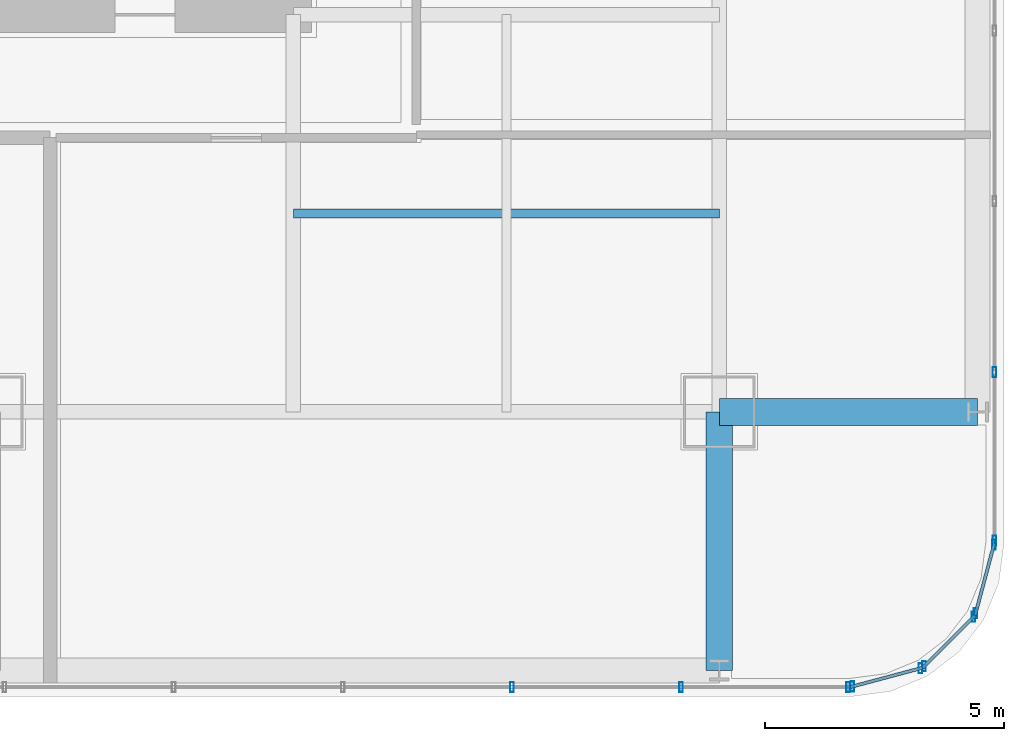
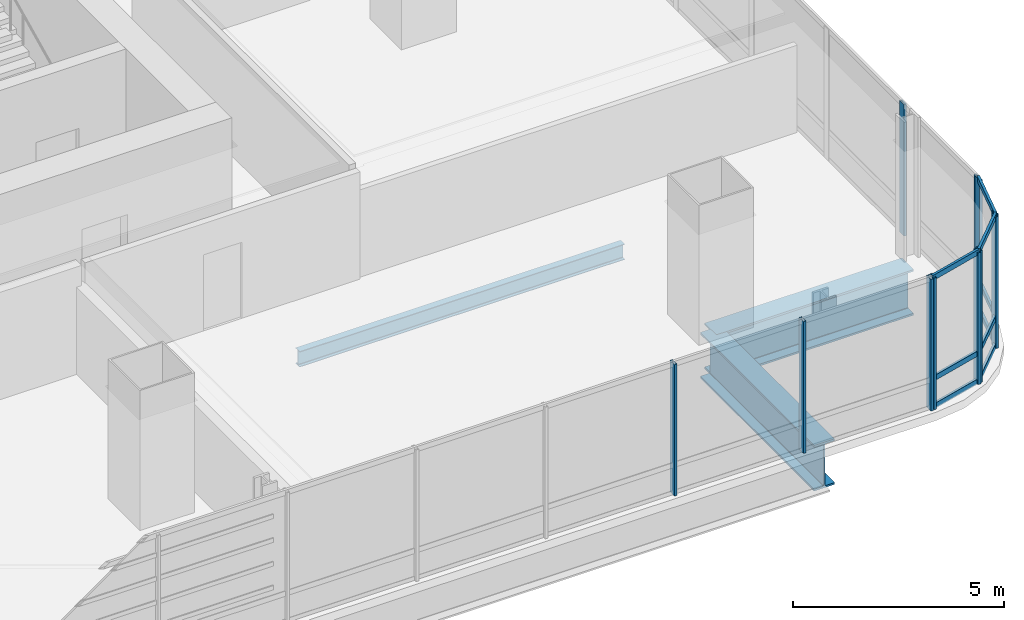
# One storey, part 12 of 34: 20 members, 3 beams, 5 elements without a shape of their own.
"""IFC4 building model written with IfcOpenShell, lengths in metres."""

from ifc_helpers import new_model, si_unit, direction, frame, origin, origin_2d, place, context, subcontext, project, spatial, hollow_rectangle, i_section, extrude, material, material_profile, profile_set, type_object, element, aggregate, save


model = new_model("IFC4")

# Units and contexts
model_context = context("Model", 3, precision=1e-05, world=origin(), true_north=direction((0.0, 1.0)))
body_context = subcontext(model_context, "Body", "Model", "MODEL_VIEW")
ifc_project = project(units=[si_unit("LENGTHUNIT", "METRE"), si_unit("AREAUNIT", "SQUARE_METRE"), si_unit("VOLUMEUNIT", "CUBIC_METRE"), si_unit("PLANEANGLEUNIT", "RADIAN"), si_unit("MASSUNIT", "GRAM", prefix="KILO")], contexts=[model_context])

# Site, building, storey
site_placement = place(None, origin())
site = spatial("IfcSite", under=ifc_project, at=site_placement, CompositionType="ELEMENT")
building_placement = place(site_placement, origin())
building = spatial("IfcBuilding", under=site, at=building_placement, Name="Punatoya Terracotta Tower", CompositionType="ELEMENT")
storey_placement = place(building_placement, frame((0.0, 0.0, 80.85009765625)))
storey = spatial("IfcBuildingStorey", under=building, at=storey_placement, Name="L18", CompositionType="ELEMENT", Elevation=80.85009765625)

# Beams
ifc_material_1 = material(Name="Steel S355", Category="steel")
ifc_material_profile_1 = material_profile(ifc_material_1, i_section(OverallWidth=0.18994140625, OverallDepth=0.449951171875, WebThickness=0.009521484375, FlangeThickness=0.0146484375, FilletRadius=0.01806640625, at=origin_2d()))
ifc_profile_set_1 = profile_set([ifc_material_profile_1], Name="Steel S355")
beam_type_1 = type_object("IfcBeamType", Name="BM-SEC-450", PredefinedType="JOIST", material=ifc_profile_set_1)
beam_placement = place(storey_placement, frame((10.199951171875, -13.35009765625, -0.465087890625), z_axis=(1.0, 0.0, 0.0), x_axis=(0.0, 1.0, 0.0)))
element("IfcBeam", 1, at=beam_placement, inside=storey, type_object=beam_type_1, Name="BM-L18-SJS-2", PredefinedType="JOIST", context=body_context, shape_type="SweptSolid", body=[
    extrude(i_section(OverallWidth=0.18994140625, OverallDepth=0.449951171875, WebThickness=0.009521484375, FlangeThickness=0.0146484375, FilletRadius=0.01806640625, at=origin_2d()), origin(), (0.0, 0.0, 1.0), 8.900146484375),
])
ifc_material_2 = material(Name="Steel S460", Category="steel")
ifc_material_profile_2 = material_profile(ifc_material_2, i_section(OverallWidth=0.56005859375, OverallDepth=1.320068359375, WebThickness=0.035888671875, FlangeThickness=0.054931640625, FilletRadius=0.01806640625, at=origin_2d()))
ifc_profile_set_2 = profile_set([ifc_material_profile_2], Name="Steel S460")
beam_type_2 = type_object("IfcBeamType", Name="BM-TG-BLK", PredefinedType="BEAM", material=ifc_profile_set_2)
for number, where, z_axis, x_axis, name in (
    (2, (19.10009765625, -17.5, -0.900146484375), (1.0, 0.0, 0.0), (0.0, 1.0, 0.0), "BM-L18-CANT-E1"),
    (3, (19.10009765625, -22.89990234375, -0.900146484375), (0.0, 1.0, 0.0), (-1.0, 0.0, 0.0), "BM-L18-CANT-S4"),
):
    element("IfcBeam", number, at=place(storey_placement, frame(where, z_axis=z_axis, x_axis=x_axis)), inside=storey, type_object=beam_type_2, Name=name, PredefinedType="BEAM", context=body_context, shape_type="SweptSolid", body=[
        extrude(i_section(OverallWidth=0.56005859375, OverallDepth=1.320068359375, WebThickness=0.035888671875, FlangeThickness=0.054931640625, FilletRadius=0.01806640625, at=origin_2d()), origin(), (0.0, 0.0, 1.0), 5.39990234375),
    ])

# Curtain wall, members
ifc_material_3 = material(Name="Aluminium 6063-T6 + Double Low-E Glass", Category="aluminium")
curtain_wall_type = type_object("IfcCurtainWallType", Name="CW-M1", PredefinedType="NOTDEFINED", material=ifc_material_3)
curtain_wall_1_placement = place(storey_placement, origin())
curtain_wall_1 = element("IfcCurtainWall", 4, at=curtain_wall_1_placement, inside=storey, type_object=curtain_wall_type, Name="L18 Curtain Wall CW-L18-S01-1", PredefinedType="NOTDEFINED")
ifc_material_4 = material(Name="Aluminium 6063-T6", Category="aluminium")
ifc_material_profile_3 = material_profile(ifc_material_4, hollow_rectangle(XDim=0.074951171875, YDim=0.2099609375, WallThickness=0.00439453125, at=origin_2d()))
ifc_profile_set_3 = profile_set([ifc_material_profile_3], Name="Aluminium 6063-T6")
member_type_1 = type_object("IfcMemberType", Name="CW-MUL-M1", PredefinedType="MULLION", material=ifc_profile_set_3)
member_1_placement = place(storey_placement, frame((14.768798828125, -23.25, 0.0), z_axis=(0.0, 0.0, 1.0), x_axis=(1.0, 0.0, 0.0)))
member_1 = element("IfcMember", 5, at=member_1_placement, type_object=member_type_1, Name="CW-L18-S01-1 Mullion 09", PredefinedType="MULLION", context=body_context, shape_type="SweptSolid", body=[
    extrude(hollow_rectangle(XDim=0.074951171875, YDim=0.2099609375, WallThickness=0.00439453125, at=origin_2d()), origin(), (0.0, 0.0, 1.0), 3.809814453125),
])
member_2_placement = place(storey_placement, frame((18.302978515625, -23.25, 0.0), z_axis=(0.0, 0.0, 1.0), x_axis=(1.0, 0.0, 0.0)))
member_2 = element("IfcMember", 6, at=member_2_placement, type_object=member_type_1, Name="CW-L18-S01-1 Mullion 10", PredefinedType="MULLION", context=body_context, shape_type="SweptSolid", body=[
    extrude(hollow_rectangle(XDim=0.074951171875, YDim=0.2099609375, WallThickness=0.00439453125, at=origin_2d()), origin(), (0.0, 0.0, 1.0), 3.809814453125),
])
member_3_placement = place(storey_placement, frame((21.7919921875, -23.25, 0.0), z_axis=(0.0, 0.0, 1.0), x_axis=(1.0, 0.0, 0.0)))
member_3 = element("IfcMember", 7, at=member_3_placement, type_object=member_type_1, Name="CW-L18-S01-1 Mullion 11", PredefinedType="MULLION", context=body_context, shape_type="SweptSolid", body=[
    extrude(hollow_rectangle(XDim=0.074951171875, YDim=0.2099609375, WallThickness=0.00439453125, at=origin_2d()), origin(), (0.0, 0.0, 1.0), 3.809814453125),
])
aggregate(curtain_wall_1, [member_1, member_2, member_3])

curtain_wall_2_placement = place(storey_placement, origin())
curtain_wall_2 = element("IfcCurtainWall", 8, at=curtain_wall_2_placement, inside=storey, type_object=curtain_wall_type, Name="L18 Curtain Wall CW-L18-CRN02", PredefinedType="NOTDEFINED")
member_4_placement = place(storey_placement, frame((21.88037109375, -23.23828125, 0.0), z_axis=(0.0, 0.0, 1.0), x_axis=(1.0, 0.0, 0.0)))
member_4 = element("IfcMember", 9, at=member_4_placement, type_object=member_type_1, Name="CW-L18-CRN02 Mullion 00", PredefinedType="MULLION", context=body_context, shape_type="SweptSolid", body=[
    extrude(hollow_rectangle(XDim=0.074951171875, YDim=0.2099609375, WallThickness=0.00439453125, at=origin_2d()), origin(), (0.0, 0.0, 1.0), 3.809814453125),
])
member_5_placement = place(storey_placement, frame((23.3056640625, -22.858154296875, 0.0), z_axis=(0.0, 0.0, 1.0), x_axis=(1.0, 0.0, 0.0)))
member_5 = element("IfcMember", 10, at=member_5_placement, type_object=member_type_1, Name="CW-L18-CRN02 Mullion 01", PredefinedType="MULLION", context=body_context, shape_type="SweptSolid", body=[
    extrude(hollow_rectangle(XDim=0.074951171875, YDim=0.2099609375, WallThickness=0.00439453125, at=origin_2d()), origin(), (0.0, 0.0, 1.0), 3.809814453125),
])

curtain_wall_3_placement = place(storey_placement, origin())
curtain_wall_3 = element("IfcCurtainWall", 11, at=curtain_wall_3_placement, inside=storey, type_object=curtain_wall_type, Name="L18 Curtain Wall CW-L18-CRN03", PredefinedType="NOTDEFINED")
member_6_placement = place(storey_placement, frame((23.380859375, -22.814697265625, 0.0), z_axis=(0.0, 0.0, 1.0), x_axis=(1.0, 0.0, 0.0)))
member_6 = element("IfcMember", 12, at=member_6_placement, type_object=member_type_1, Name="CW-L18-CRN03 Mullion 00", PredefinedType="MULLION", context=body_context, shape_type="SweptSolid", body=[
    extrude(hollow_rectangle(XDim=0.074951171875, YDim=0.2099609375, WallThickness=0.00439453125, at=origin_2d()), origin(), (0.0, 0.0, 1.0), 3.809814453125),
])
member_7_placement = place(storey_placement, frame((24.414794921875, -21.781005859375, 0.0), z_axis=(0.0, 0.0, 1.0), x_axis=(1.0, 0.0, 0.0)))
member_7 = element("IfcMember", 13, at=member_7_placement, type_object=member_type_1, Name="CW-L18-CRN03 Mullion 01", PredefinedType="MULLION", context=body_context, shape_type="SweptSolid", body=[
    extrude(hollow_rectangle(XDim=0.074951171875, YDim=0.2099609375, WallThickness=0.00439453125, at=origin_2d()), origin(), (0.0, 0.0, 1.0), 3.809814453125),
])

curtain_wall_4_placement = place(storey_placement, origin())
curtain_wall_4 = element("IfcCurtainWall", 14, at=curtain_wall_4_placement, inside=storey, type_object=curtain_wall_type, Name="L18 Curtain Wall CW-L18-CRN04", PredefinedType="NOTDEFINED")
member_8_placement = place(storey_placement, frame((24.458251953125, -21.70556640625, 0.0), z_axis=(0.0, 0.0, 1.0), x_axis=(1.0, 0.0, 0.0)))
member_8 = element("IfcMember", 15, at=member_8_placement, type_object=member_type_1, Name="CW-L18-CRN04 Mullion 00", PredefinedType="MULLION", context=body_context, shape_type="SweptSolid", body=[
    extrude(hollow_rectangle(XDim=0.074951171875, YDim=0.2099609375, WallThickness=0.00439453125, at=origin_2d()), origin(), (0.0, 0.0, 1.0), 3.809814453125),
])
member_9_placement = place(storey_placement, frame((24.83837890625, -20.280517578125, 0.0), z_axis=(0.0, 0.0, 1.0), x_axis=(1.0, 0.0, 0.0)))
member_9 = element("IfcMember", 16, at=member_9_placement, type_object=member_type_1, Name="CW-L18-CRN04 Mullion 01", PredefinedType="MULLION", context=body_context, shape_type="SweptSolid", body=[
    extrude(hollow_rectangle(XDim=0.074951171875, YDim=0.2099609375, WallThickness=0.00439453125, at=origin_2d()), origin(), (0.0, 0.0, 1.0), 3.809814453125),
])

curtain_wall_5_placement = place(storey_placement, origin())
curtain_wall_5 = element("IfcCurtainWall", 17, at=curtain_wall_5_placement, inside=storey, type_object=curtain_wall_type, Name="L18 Curtain Wall CW-L18-E05-1", PredefinedType="NOTDEFINED")
member_10_placement = place(storey_placement, frame((24.85009765625, -20.19189453125, 0.0), z_axis=(0.0, 0.0, 1.0), x_axis=(1.0, 0.0, 0.0)))
member_10 = element("IfcMember", 18, at=member_10_placement, type_object=member_type_1, Name="CW-L18-E05-1 Mullion 00", PredefinedType="MULLION", context=body_context, shape_type="SweptSolid", body=[
    extrude(hollow_rectangle(XDim=0.074951171875, YDim=0.2099609375, WallThickness=0.00439453125, at=origin_2d()), origin(), (0.0, 0.0, 1.0), 3.809814453125),
])
member_11_placement = place(storey_placement, frame((24.85009765625, -16.66943359375, 0.0), z_axis=(0.0, 0.0, 1.0), x_axis=(1.0, 0.0, 0.0)))
member_11 = element("IfcMember", 19, at=member_11_placement, type_object=member_type_1, Name="CW-L18-E05-1 Mullion 01", PredefinedType="MULLION", context=body_context, shape_type="SweptSolid", body=[
    extrude(hollow_rectangle(XDim=0.074951171875, YDim=0.2099609375, WallThickness=0.00439453125, at=origin_2d()), origin(), (0.0, 0.0, 1.0), 3.809814453125),
])
aggregate(curtain_wall_5, [member_10, member_11])

# Member
ifc_material_profile_4 = material_profile(ifc_material_4, hollow_rectangle(XDim=0.068115234375, YDim=0.14990234375, WallThickness=0.00390625, at=origin_2d()))
ifc_profile_set_4 = profile_set([ifc_material_profile_4], Name="Aluminium 6063-T6")
member_type_2 = type_object("IfcMemberType", Name="CW-TRN-TYP", PredefinedType="USERDEFINED", material=ifc_profile_set_4)
member_12_placement = place(storey_placement, frame((21.8369140625, -23.25, 0.039794921875), z_axis=(0.966224582397, 0.257701486942, 0.0), x_axis=(-0.257701486942, 0.966224582397, 0.0)))
member_12 = element("IfcMember", 20, at=member_12_placement, type_object=member_type_2, Name="CW-L18-CRN02 Transom 1", ObjectType="TRANSOM", PredefinedType="USERDEFINED", context=body_context, shape_type="SweptSolid", body=[
    extrude(hollow_rectangle(XDim=0.068115234375, YDim=0.14990234375, WallThickness=0.00390625, at=origin_2d()), origin(), (0.0, 0.0, 1.0), 1.565185546875),
])

member_13_placement = place(storey_placement, frame((21.8369140625, -23.25, 0.849853515625), z_axis=(0.966224582397, 0.257701486942, 0.0), x_axis=(-0.257701486942, 0.966224582397, 0.0)))
member_13 = element("IfcMember", 21, at=member_13_placement, type_object=member_type_2, Name="CW-L18-CRN02 Transom 2", ObjectType="TRANSOM", PredefinedType="USERDEFINED", context=body_context, shape_type="SweptSolid", body=[
    extrude(hollow_rectangle(XDim=0.068115234375, YDim=0.14990234375, WallThickness=0.00390625, at=origin_2d()), origin(), (0.0, 0.0, 1.0), 1.565185546875),
])

member_14_placement = place(storey_placement, frame((21.8369140625, -23.25, 3.77001953125), z_axis=(0.966224582397, 0.257701486942, 0.0), x_axis=(-0.257701486942, 0.966224582397, 0.0)))
member_14 = element("IfcMember", 22, at=member_14_placement, type_object=member_type_2, Name="CW-L18-CRN02 Transom 3", ObjectType="TRANSOM", PredefinedType="USERDEFINED", context=body_context, shape_type="SweptSolid", body=[
    extrude(hollow_rectangle(XDim=0.068115234375, YDim=0.14990234375, WallThickness=0.00390625, at=origin_2d()), origin(), (0.0, 0.0, 1.0), 1.565185546875),
])

aggregate(curtain_wall_2, [member_4, member_5, member_12, member_13, member_14])

member_15_placement = place(storey_placement, frame((23.34912109375, -22.8466796875, 0.039794921875), z_axis=(0.707028130747, 0.707185422879, 0.0), x_axis=(-0.707185422879, 0.707028130747, 0.0)))
member_15 = element("IfcMember", 23, at=member_15_placement, type_object=member_type_2, Name="CW-L18-CRN03 Transom 1", ObjectType="TRANSOM", PredefinedType="USERDEFINED", context=body_context, shape_type="SweptSolid", body=[
    extrude(hollow_rectangle(XDim=0.068115234375, YDim=0.14990234375, WallThickness=0.00390625, at=origin_2d()), origin(), (0.0, 0.0, 1.0), 1.55224609375),
])

member_16_placement = place(storey_placement, frame((23.34912109375, -22.8466796875, 0.849853515625), z_axis=(0.707028130747, 0.707185422879, 0.0), x_axis=(-0.707185422879, 0.707028130747, 0.0)))
member_16 = element("IfcMember", 24, at=member_16_placement, type_object=member_type_2, Name="CW-L18-CRN03 Transom 2", ObjectType="TRANSOM", PredefinedType="USERDEFINED", context=body_context, shape_type="SweptSolid", body=[
    extrude(hollow_rectangle(XDim=0.068115234375, YDim=0.14990234375, WallThickness=0.00390625, at=origin_2d()), origin(), (0.0, 0.0, 1.0), 1.55224609375),
])

member_17_placement = place(storey_placement, frame((23.34912109375, -22.8466796875, 3.77001953125), z_axis=(0.707028130747, 0.707185422879, 0.0), x_axis=(-0.707185422879, 0.707028130747, 0.0)))
member_17 = element("IfcMember", 25, at=member_17_placement, type_object=member_type_2, Name="CW-L18-CRN03 Transom 3", ObjectType="TRANSOM", PredefinedType="USERDEFINED", context=body_context, shape_type="SweptSolid", body=[
    extrude(hollow_rectangle(XDim=0.068115234375, YDim=0.14990234375, WallThickness=0.00390625, at=origin_2d()), origin(), (0.0, 0.0, 1.0), 1.55224609375),
])

aggregate(curtain_wall_3, [member_6, member_7, member_15, member_16, member_17])

member_18_placement = place(storey_placement, frame((24.446533203125, -21.7490234375, 0.039794921875), z_axis=(0.257847112249, 0.966185730957, 0.0), x_axis=(-0.966185730957, 0.257847112249, 0.0)))
member_18 = element("IfcMember", 26, at=member_18_placement, type_object=member_type_2, Name="CW-L18-CRN04 Transom 1", ObjectType="TRANSOM", PredefinedType="USERDEFINED", context=body_context, shape_type="SweptSolid", body=[
    extrude(hollow_rectangle(XDim=0.068115234375, YDim=0.14990234375, WallThickness=0.00390625, at=origin_2d()), origin(), (0.0, 0.0, 1.0), 1.565185546875),
])

member_19_placement = place(storey_placement, frame((24.446533203125, -21.7490234375, 0.849853515625), z_axis=(0.257847112249, 0.966185730957, 0.0), x_axis=(-0.966185730957, 0.257847112249, 0.0)))
member_19 = element("IfcMember", 27, at=member_19_placement, type_object=member_type_2, Name="CW-L18-CRN04 Transom 2", ObjectType="TRANSOM", PredefinedType="USERDEFINED", context=body_context, shape_type="SweptSolid", body=[
    extrude(hollow_rectangle(XDim=0.068115234375, YDim=0.14990234375, WallThickness=0.00390625, at=origin_2d()), origin(), (0.0, 0.0, 1.0), 1.565185546875),
])

member_20_placement = place(storey_placement, frame((24.446533203125, -21.7490234375, 3.77001953125), z_axis=(0.257847112249, 0.966185730957, 0.0), x_axis=(-0.966185730957, 0.257847112249, 0.0)))
member_20 = element("IfcMember", 28, at=member_20_placement, type_object=member_type_2, Name="CW-L18-CRN04 Transom 3", ObjectType="TRANSOM", PredefinedType="USERDEFINED", context=body_context, shape_type="SweptSolid", body=[
    extrude(hollow_rectangle(XDim=0.068115234375, YDim=0.14990234375, WallThickness=0.00390625, at=origin_2d()), origin(), (0.0, 0.0, 1.0), 1.565185546875),
])

aggregate(curtain_wall_4, [member_8, member_9, member_18, member_19, member_20])

save(model, "model.ifc")
